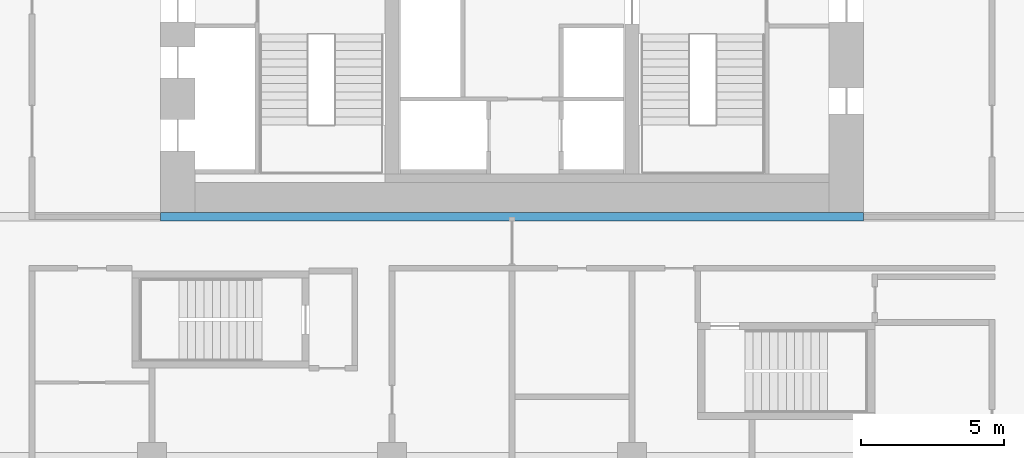
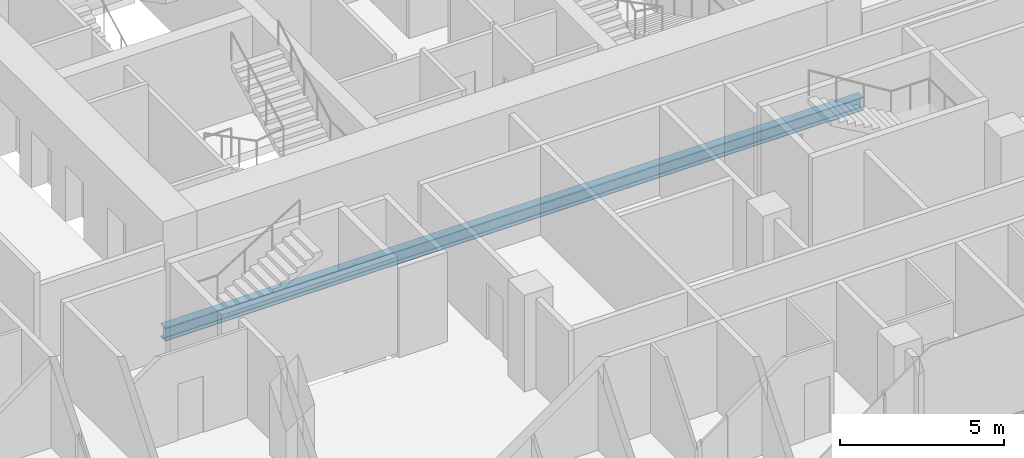
# One storey, part 5 of 26: 1 beam.
"""IFC4 building model written with IfcOpenShell, lengths in metres."""

from ifc_helpers import new_model, si_unit, direction, frame, origin, origin_2d, place, context, subcontext, project, spatial, i_section, extrude, material, material_profile, profile_set, type_object, element, save


model = new_model("IFC4")

# Units and contexts
model_context = context("Model", 3, precision=1e-05, world=origin(), true_north=direction((0.0, 1.0)))
body_context = subcontext(model_context, "Body", "Model", "MODEL_VIEW")
ifc_project = project(units=[si_unit("LENGTHUNIT", "METRE"), si_unit("AREAUNIT", "SQUARE_METRE"), si_unit("VOLUMEUNIT", "CUBIC_METRE"), si_unit("PLANEANGLEUNIT", "RADIAN"), si_unit("MASSUNIT", "GRAM", prefix="KILO")], contexts=[model_context])

# Site, building, storey
site_placement = place(None, origin())
site = spatial("IfcSite", under=ifc_project, at=site_placement, CompositionType="ELEMENT")
building_placement = place(site_placement, origin())
building = spatial("IfcBuilding", under=site, at=building_placement, Name="Marenta Gate Hotel Tower", CompositionType="ELEMENT")
storey_placement = place(building_placement, frame((0.0, 0.0, 65.300048828125)))
storey = spatial("IfcBuildingStorey", under=building, at=storey_placement, Name="L14", CompositionType="ELEMENT", Elevation=65.300048828125)

# Beam
ifc_material = material(Name="Steel S355", Category="steel")
ifc_material_profile = material_profile(ifc_material, i_section(OverallWidth=0.300048828125, OverallDepth=0.5, WebThickness=0.014404296875, FlangeThickness=0.028076171875, FilletRadius=0.027099609375, at=origin_2d()), Name="HEB 500")
ifc_profile_set = profile_set([ifc_material_profile], Name="Steel S355")
beam_type = type_object("IfcBeamType", Name="Girder HEB 500", PredefinedType="BEAM", material=ifc_profile_set)
beam_placement = place(storey_placement, frame((-12.300048828125, 0.0, -0.510009765625), z_axis=(1.0, 0.0, 0.0), x_axis=(0.0, 1.0, 0.0)))
element("IfcBeam", 1, at=beam_placement, inside=storey, type_object=beam_type, Name="L14-GD-10", PredefinedType="BEAM", context=body_context, shape_type="SweptSolid", body=[
    extrude(i_section(OverallWidth=0.300048828125, OverallDepth=0.5, WebThickness=0.014404296875, FlangeThickness=0.028076171875, FilletRadius=0.027099609375, at=origin_2d()), origin(), (0.0, 0.0, 1.0), 24.60009765625),
])

save(model, "model.ifc")
